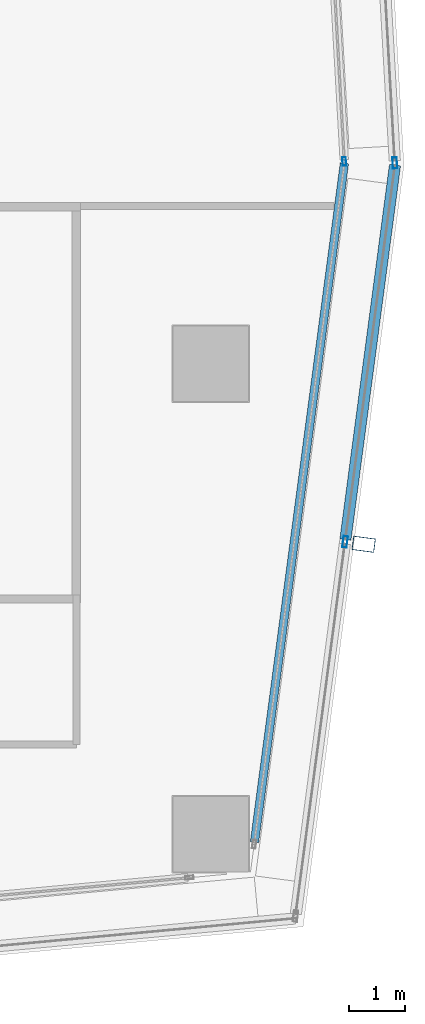
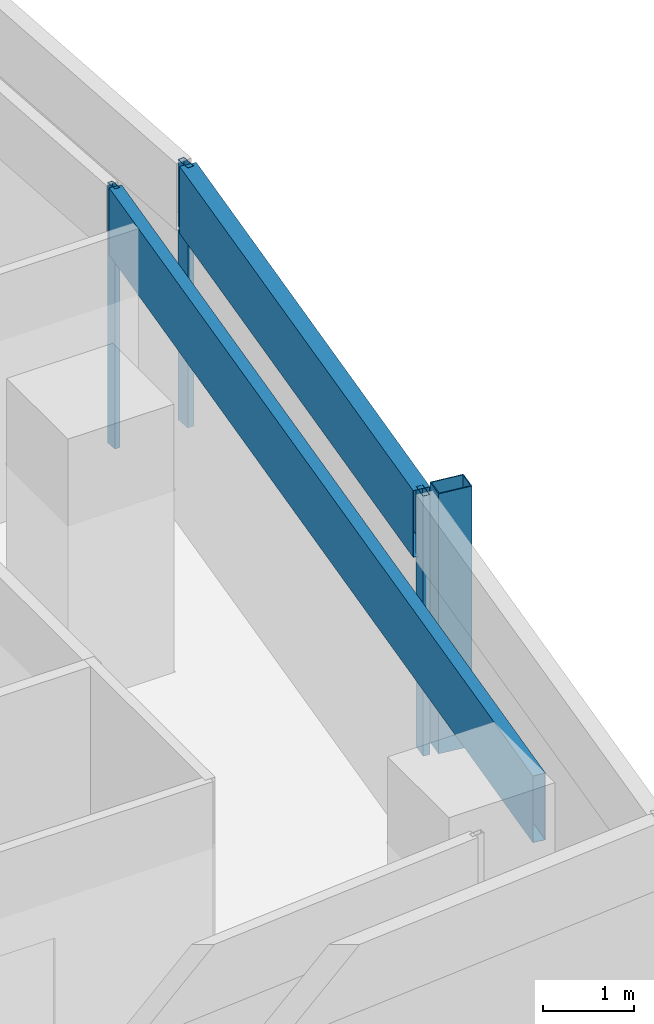
# One storey, part 13 of 39: 6 members, 4 elements without a shape of their own.
"""IFC4 building model written with IfcOpenShell, lengths in metres."""

from ifc_helpers import new_model, si_unit, direction, frame, origin, origin_2d, place, context, subcontext, project, spatial, hollow_rectangle, extrude, material, material_profile, profile_set, type_object, element, aggregate, save


model = new_model("IFC4")

# Units and contexts
model_context = context("Model", 3, precision=1e-05, world=origin(), true_north=direction((0.0, 1.0)))
body_context = subcontext(model_context, "Body", "Model", "MODEL_VIEW")
ifc_project = project(units=[si_unit("LENGTHUNIT", "METRE"), si_unit("AREAUNIT", "SQUARE_METRE"), si_unit("VOLUMEUNIT", "CUBIC_METRE"), si_unit("PLANEANGLEUNIT", "RADIAN"), si_unit("MASSUNIT", "GRAM", prefix="KILO")], contexts=[model_context])

# Site, building, storey
site_placement = place(None, origin())
site = spatial("IfcSite", under=ifc_project, at=site_placement, CompositionType="ELEMENT")
building_placement = place(site_placement, origin())
building = spatial("IfcBuilding", under=site, at=building_placement, Name="Rekha Terrace Tower", CompositionType="ELEMENT")
storey_placement = place(building_placement, frame((0.0, 0.0, 225.199951171875)))
storey = spatial("IfcBuildingStorey", under=building, at=storey_placement, Name="L57", CompositionType="ELEMENT", Elevation=225.199951171875)

# Curtain wall, member
ifc_material_1 = material(Name="Aluminium framing", Category="aluminium")
curtain_wall_type_1 = type_object("IfcCurtainWallType", Name="CW2 double skin outer glazing", PredefinedType="USERDEFINED", material=ifc_material_1)
curtain_wall_1_placement = place(storey_placement, origin())
curtain_wall_1 = element("IfcCurtainWall", 1, at=curtain_wall_1_placement, inside=storey, type_object=curtain_wall_type_1, Name="CW2 double skin outer glazing", ObjectType="DOUBLE SKIN OUTER GLAZING", PredefinedType="USERDEFINED")
ifc_material_2 = material(Name="Steel S355 with fluorocarbon finish", Category="steel")
ifc_material_profile_1 = material_profile(ifc_material_2, hollow_rectangle(XDim=0.25, YDim=0.39990234375, WallThickness=0.012451171875, at=origin_2d()), Name="RHS400x250x12.5")
ifc_profile_set_1 = profile_set([ifc_material_profile_1], Name="Steel S355 with fluorocarbon finish")
member_type_1 = type_object("IfcMemberType", Name="BL1 facade blade RHS 400 x 250", PredefinedType="USERDEFINED", material=ifc_profile_set_1)
member_1_placement = place(storey_placement, frame((61.531005859375, 21.977783203125, 0.0), z_axis=(0.0, 0.0, 1.0), x_axis=(0.131303100637, 0.991342269735, 0.0)))
member_1 = element("IfcMember", 2, at=member_1_placement, type_object=member_type_1, Name="Facade blade", ObjectType="FACADE BLADE", PredefinedType="USERDEFINED", context=body_context, shape_type="SweptSolid", body=[
    extrude(hollow_rectangle(XDim=0.25, YDim=0.39990234375, WallThickness=0.012451171875, at=origin_2d()), origin(), (0.0, 0.0, 1.0), 3.5),
])

curtain_wall_type_2 = type_object("IfcCurtainWallType", Name="CW1 double skin inner glazing", PredefinedType="USERDEFINED", material=ifc_material_1)
curtain_wall_2_placement = place(storey_placement, origin())
curtain_wall_2 = element("IfcCurtainWall", 3, at=curtain_wall_2_placement, inside=storey, type_object=curtain_wall_type_2, Name="CW1 double skin inner glazing", ObjectType="DOUBLE SKIN INNER GLAZING", PredefinedType="USERDEFINED")
ifc_material_3 = material(Name="Aluminium mullion section", Category="aluminium")
ifc_material_profile_2 = material_profile(ifc_material_3, hollow_rectangle(XDim=0.06494140625, YDim=0.14990234375, WallThickness=0.00390625, at=origin_2d()), Name="AL RHS 65x150")
ifc_profile_set_2 = profile_set([ifc_material_profile_2], Name="Aluminium mullion section")
member_type_2 = type_object("IfcMemberType", Name="CW1 mullion RHS 65 x 150", PredefinedType="MULLION", material=ifc_profile_set_2)
member_2_placement = place(storey_placement, frame((61.18408203125, 28.812255859375, 0.0), z_axis=(0.0, 0.0, 1.0), x_axis=(-0.998392782919, -0.05667319486, 0.0)))
member_2 = element("IfcMember", 4, at=member_2_placement, type_object=member_type_2, Name="CW1 mullion 1", PredefinedType="MULLION", context=body_context, shape_type="SweptSolid", body=[
    extrude(hollow_rectangle(XDim=0.06494140625, YDim=0.14990234375, WallThickness=0.00390625, at=origin_2d()), origin(), (0.0, 0.0, 1.0), 3.5),
])
aggregate(curtain_wall_2, [member_2])

curtain_wall_3_placement = place(storey_placement, origin())
curtain_wall_3 = element("IfcCurtainWall", 5, at=curtain_wall_3_placement, inside=storey, type_object=curtain_wall_type_2, Name="CW1 double skin inner glazing", ObjectType="DOUBLE SKIN INNER GLAZING", PredefinedType="USERDEFINED")
ifc_material_4 = material(Name="Insulated aluminium spandrel box", Category="aluminium")
ifc_material_profile_3 = material_profile(ifc_material_4, hollow_rectangle(XDim=0.14990234375, YDim=0.89990234375, WallThickness=0.0029296875, at=origin_2d()), Name="AL SPANDREL BOX 150x900")
ifc_profile_set_3 = profile_set([ifc_material_profile_3], Name="Insulated aluminium spandrel box")
member_type_3 = type_object("IfcMemberType", Name="CW1 spandrel transom 150 x 900", PredefinedType="USERDEFINED", material=ifc_profile_set_3)
member_3_placement = place(storey_placement, frame((59.580322265625, 16.656982421875, 3.050048828125), z_axis=(0.131307111352, 0.991341738508, 0.0), x_axis=(-0.991341738508, 0.131307111352, 0.0)))
member_3 = element("IfcMember", 6, at=member_3_placement, type_object=member_type_3, Name="CW1 spandrel transom 1", ObjectType="TRANSOM", PredefinedType="USERDEFINED", context=body_context, shape_type="SweptSolid", body=[
    extrude(hollow_rectangle(XDim=0.14990234375, YDim=0.89990234375, WallThickness=0.0029296875, at=origin_2d()), origin(), (0.0, 0.0, 1.0), 12.228759765625),
])
aggregate(curtain_wall_3, [member_3])

# Member
ifc_material_profile_4 = material_profile(ifc_material_3, hollow_rectangle(XDim=0.080078125, YDim=0.199951171875, WallThickness=0.00390625, at=origin_2d()), Name="AL RHS 80x200")
ifc_profile_set_4 = profile_set([ifc_material_profile_4], Name="Aluminium mullion section")
member_type_4 = type_object("IfcMemberType", Name="CW2 mullion RHS 80 x 200", PredefinedType="MULLION", material=ifc_profile_set_4)
member_4_placement = place(storey_placement, frame((61.19873046875, 22.021728515625, 0.0), z_axis=(0.0, 0.0, 1.0), x_axis=(-0.991342203187, 0.131303603075, 0.0)))
member_4 = element("IfcMember", 7, at=member_4_placement, type_object=member_type_4, Name="CW2 mullion 2", PredefinedType="MULLION", context=body_context, shape_type="SweptSolid", body=[
    extrude(hollow_rectangle(XDim=0.080078125, YDim=0.199951171875, WallThickness=0.00390625, at=origin_2d()), origin(), (0.0, 0.0, 1.0), 3.5),
])

# Curtain wall, member
curtain_wall_4_placement = place(storey_placement, origin())
curtain_wall_4 = element("IfcCurtainWall", 8, at=curtain_wall_4_placement, inside=storey, type_object=curtain_wall_type_1, Name="CW2 double skin outer glazing", ObjectType="DOUBLE SKIN OUTER GLAZING", PredefinedType="USERDEFINED")
member_5_placement = place(storey_placement, frame((62.087158203125, 28.785888671875, 0.0), z_axis=(0.0, 0.0, 1.0), x_axis=(-0.998392782919, -0.05667319486, 0.0)))
member_5 = element("IfcMember", 9, at=member_5_placement, type_object=member_type_4, Name="CW2 mullion 1", PredefinedType="MULLION", context=body_context, shape_type="SweptSolid", body=[
    extrude(hollow_rectangle(XDim=0.080078125, YDim=0.199951171875, WallThickness=0.00390625, at=origin_2d()), origin(), (0.0, 0.0, 1.0), 3.5),
])
aggregate(curtain_wall_4, [member_5])

# Member
ifc_material_profile_5 = material_profile(ifc_material_4, hollow_rectangle(XDim=0.199951171875, YDim=0.89990234375, WallThickness=0.0029296875, at=origin_2d()), Name="AL SPANDREL BOX 200x900")
ifc_profile_set_5 = profile_set([ifc_material_profile_5], Name="Insulated aluminium spandrel box")
member_type_5 = type_object("IfcMemberType", Name="CW2 spandrel transom 200 x 900", PredefinedType="USERDEFINED", material=ifc_profile_set_5)
member_6_placement = place(storey_placement, frame((61.2041015625, 22.0615234375, 3.050048828125), z_axis=(0.131286165193, 0.991344512684, 0.0), x_axis=(-0.991344512684, 0.131286165193, 0.0)))
member_6 = element("IfcMember", 10, at=member_6_placement, type_object=member_type_5, Name="CW2 spandrel transom 2", ObjectType="TRANSOM", PredefinedType="USERDEFINED", context=body_context, shape_type="SweptSolid", body=[
    extrude(hollow_rectangle(XDim=0.199951171875, YDim=0.89990234375, WallThickness=0.0029296875, at=origin_2d()), origin(), (0.0, 0.0, 1.0), 6.742919921875),
])

aggregate(curtain_wall_1, [member_4, member_6, member_1])

save(model, "model.ifc")
